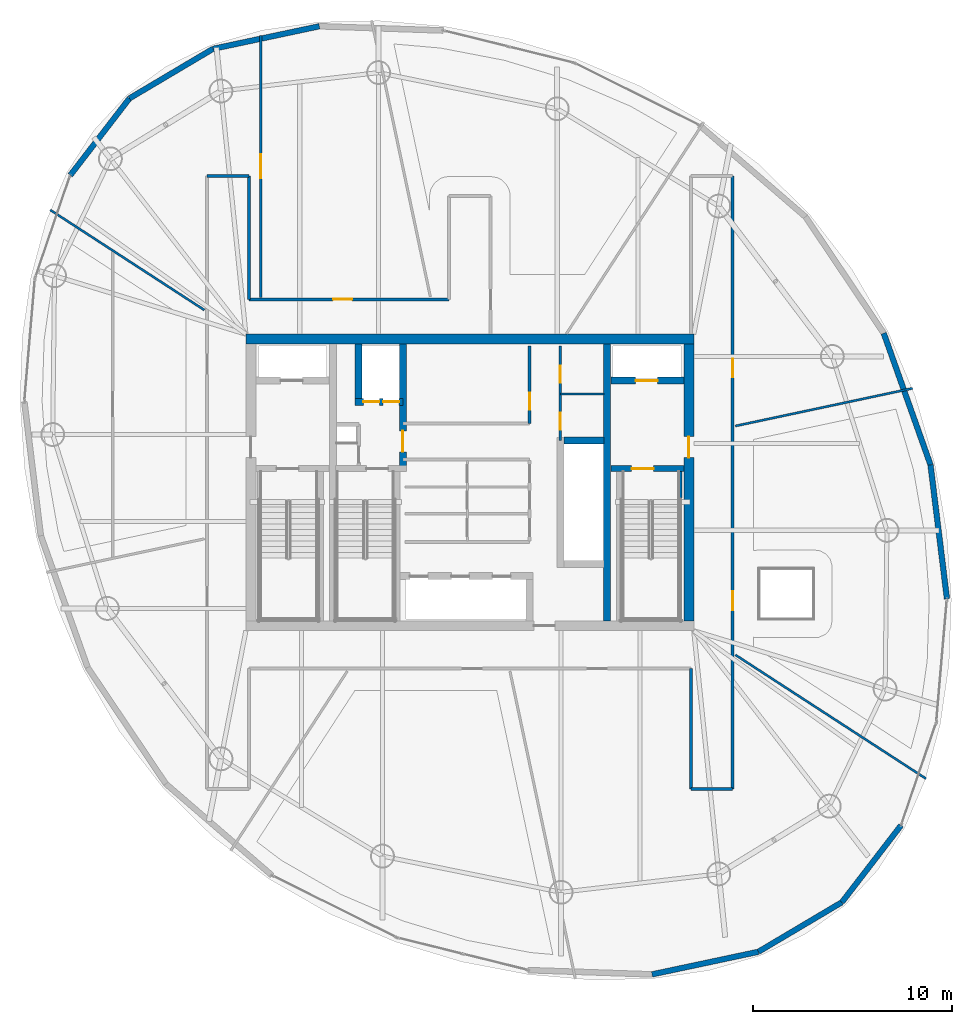
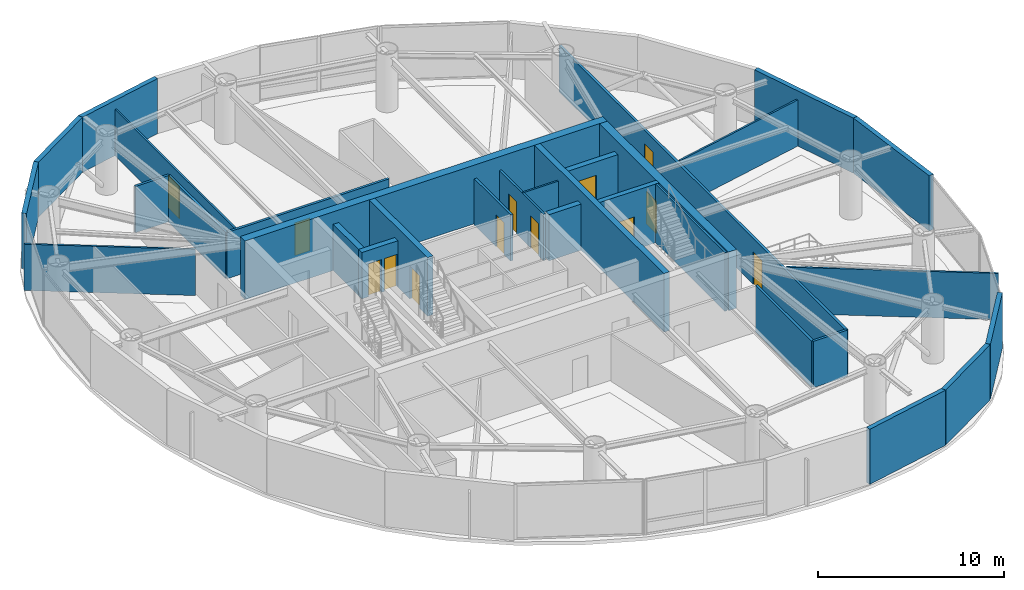
# One storey, part 17 of 22: 31 walls, 13 doors, 13 openings.
"""IFC4 building model written with IfcOpenShell, lengths in metres."""

from ifc_helpers import new_model, si_unit, direction, frame, frame_2d, origin, place, context, subcontext, project, spatial, rectangle, extrude, material, layer, layer_set, type_object, element, fill, save


model = new_model("IFC4")

# Units and contexts
model_context = context("Model", 3, precision=1e-05, world=origin(), true_north=direction((0.0, 1.0)))
body_context = subcontext(model_context, "Body", "Model", "MODEL_VIEW")
ifc_project = project(units=[si_unit("LENGTHUNIT", "METRE"), si_unit("AREAUNIT", "SQUARE_METRE"), si_unit("VOLUMEUNIT", "CUBIC_METRE"), si_unit("PLANEANGLEUNIT", "RADIAN"), si_unit("MASSUNIT", "GRAM", prefix="KILO")], contexts=[model_context])

# Site, building, storey
site_placement = place(None, origin())
site = spatial("IfcSite", under=ifc_project, at=site_placement, CompositionType="ELEMENT")
building_placement = place(site_placement, origin())
building = spatial("IfcBuilding", under=site, at=building_placement, Name="Bramvorn Convention Spire", CompositionType="ELEMENT")
storey_placement = place(building_placement, frame((0.0, 0.0, 225.10009765625)))
storey = spatial("IfcBuildingStorey", under=building, at=storey_placement, Name="L57", CompositionType="ELEMENT", Elevation=225.10009765625)

# Wall
ifc_material_1 = material(Name="Concrete C50/60", Category="concrete")
ifc_layer_1 = layer(ifc_material_1, 0.5)
ifc_layer_set_1 = layer_set([ifc_layer_1], Name="Concrete C50/60 - WL-CORE-500")
wall_type_1 = type_object("IfcWallType", Name="WL-CORE-500", PredefinedType="SHEAR", material=ifc_layer_set_1)
wall_1_placement = place(storey_placement, frame((26.75, 33.199951171875, 0.0), z_axis=(0.0, 0.0, 1.0), x_axis=(1.0, 0.0, 0.0)))
element("IfcWall", 1, at=wall_1_placement, inside=storey, type_object=wall_type_1, Name="L57 North RC core shear wall", PredefinedType="SHEAR", context=body_context, shape_type="SweptSolid", body=[
    extrude(rectangle(XDim=22.5, YDim=0.5, at=frame_2d((11.25, 0.0))), origin(), (0.0, 0.0, 1.0), 3.849853515625),
])

# Wall, opening, door
wall_2_placement = place(storey_placement, frame((49.0, 19.050048828125, 0.0), z_axis=(0.0, 0.0, 1.0), x_axis=(0.0, 1.0, 0.0)))
wall_2 = element("IfcWall", 2, at=wall_2_placement, inside=storey, type_object=wall_type_1, Name="L57 East RC core shear wall", PredefinedType="SHEAR", context=body_context, shape_type="SweptSolid", body=[
    extrude(rectangle(XDim=13.89990234375, YDim=0.5, at=frame_2d((6.949951171875, 0.0))), origin(), (0.0, 0.0, 1.0), 3.849853515625),
])
opening_1_placement = place(wall_2_placement, frame((8.199951171875, 0.0, 0.0)))
opening_1 = element("IfcOpeningElement", 3, at=opening_1_placement, cuts=wall_2, Name="Opening DL-105", PredefinedType="OPENING", context=body_context, shape_type="SweptSolid", body=[
    extrude(rectangle(XDim=1.050048828125, YDim=2.14990234375, at=frame_2d((0.52490234375, 1.074951171875))), frame((0.0, 0.260009765625, 0.0), z_axis=(0.0, -1.0, 0.0), x_axis=(1.0, 0.0, 0.0)), (0.0, 0.0, 1.0), 0.52001953125),
])
ifc_material_2 = material(Name="Smoke-Sealed Fire Lobby Timber-Core Door", Category="wood")
door_type_1 = type_object("IfcDoorType", Name="DR-LOBBY-1050", OperationType="NOTDEFINED", PredefinedType="DOOR", material=ifc_material_2)
door_1_placement = place(opening_1_placement, origin())
door_1 = element("IfcDoor", 4, at=door_1_placement, inside=storey, type_object=door_type_1, Name="L57 East Firefighting Lobby corridor door", OperationType="SINGLE_SWING_LEFT", OverallHeight=2.14990234375, OverallWidth=1.050048828125, PredefinedType="DOOR", context=body_context, shape_type="SweptSolid", body=[
    extrude(rectangle(XDim=1.050048828125, YDim=2.14990234375, at=frame_2d((0.52490234375, 1.074951171875))), frame((0.0, 0.02490234375, 0.0), z_axis=(0.0, -1.0, 0.0), x_axis=(1.0, 0.0, 0.0)), (0.0, 0.0, 1.0), 0.050048828125),
])
fill(opening_1, door_1)

# Wall
ifc_layer_2 = layer(ifc_material_1, 0.35009765625)
ifc_layer_set_2 = layer_set([ifc_layer_2], Name="Concrete C50/60 - WL-CORE-INT-350")
wall_type_2 = type_object("IfcWallType", Name="WL-CORE-INT-350", PredefinedType="SHEAR", material=ifc_layer_set_2)
wall_3_placement = place(storey_placement, frame((44.89990234375, 19.050048828125, 0.0), z_axis=(0.0, 0.0, 1.0), x_axis=(0.0, 1.0, 0.0)))
element("IfcWall", 5, at=wall_3_placement, inside=storey, type_object=wall_type_2, Name="L57 East internal core shear web", PredefinedType="SHEAR", context=body_context, shape_type="SweptSolid", body=[
    extrude(rectangle(XDim=13.89990234375, YDim=0.35009765625, at=frame_2d((6.949951171875, 0.0))), origin(), (0.0, 0.0, 1.0), 3.849853515625),
])

# Wall, opening, door
wall_4_placement = place(storey_placement, frame((45.080078125, 31.1201171875, 0.0), z_axis=(0.0, 0.0, 1.0), x_axis=(1.0, 0.0, 0.0)))
wall_4 = element("IfcWall", 6, at=wall_4_placement, inside=storey, type_object=wall_type_2, Name="L57 FE2 shaft front wall", PredefinedType="SHEAR", context=body_context, shape_type="SweptSolid", body=[
    extrude(rectangle(XDim=3.669921875, YDim=0.35009765625, at=frame_2d((1.8349609375, 0.0))), origin(), (0.0, 0.0, 1.0), 3.034912109375),
])
opening_2_placement = place(wall_4_placement, frame((1.25, 0.0, 0.0)))
opening_2 = element("IfcOpeningElement", 7, at=opening_2_placement, cuts=wall_4, Name="Opening LD-110", PredefinedType="OPENING", context=body_context, shape_type="SweptSolid", body=[
    extrude(rectangle(XDim=1.10009765625, YDim=2.14990234375, at=frame_2d((0.550048828125, 1.074951171875))), frame((0.0, 0.18505859375, 0.0), z_axis=(0.0, -1.0, 0.0), x_axis=(1.0, 0.0, 0.0)), (0.0, 0.0, 1.0), 0.3701171875),
])
ifc_material_3 = material(Name="Firefighting & Service Lift Sliding Landing Door", Category="steel")
door_type_2 = type_object("IfcDoorType", Name="DR-LIFT-LD-1100", OperationType="NOTDEFINED", PredefinedType="DOOR", material=ifc_material_3)
door_2_placement = place(opening_2_placement, origin())
door_2 = element("IfcDoor", 8, at=door_2_placement, inside=storey, type_object=door_type_2, Name="L57 Lift FE2 Sliding Landing Door", OperationType="SLIDING_TO_LEFT", OverallHeight=2.14990234375, OverallWidth=1.10009765625, PredefinedType="DOOR", context=body_context, shape_type="SweptSolid", body=[
    extrude(rectangle(XDim=1.10009765625, YDim=2.14990234375, at=frame_2d((0.550048828125, 1.074951171875))), frame((0.0, 0.02490234375, 0.0), z_axis=(0.0, -1.0, 0.0), x_axis=(1.0, 0.0, 0.0)), (0.0, 0.0, 1.0), 0.050048828125),
])
fill(opening_2, door_2)

wall_5_placement = place(storey_placement, frame((34.639892578125, 26.68994140625, 0.0), z_axis=(0.0, 0.0, 1.0), x_axis=(0.0, 1.0, 0.0)))
wall_5 = element("IfcWall", 9, at=wall_5_placement, inside=storey, type_object=wall_type_2, Name="L57 SV east core shaft wall", PredefinedType="SHEAR", context=body_context, shape_type="SweptSolid", body=[
    extrude(rectangle(XDim=6.260009765625, YDim=0.35009765625, at=frame_2d((3.1298828125, 0.0))), origin(), (0.0, 0.0, 1.0), 3.849853515625),
])
opening_3_placement = place(wall_5_placement, frame((0.85009765625, 0.0, 0.0)))
opening_3 = element("IfcOpeningElement", 10, at=opening_3_placement, cuts=wall_5, Name="Opening DL-105", PredefinedType="OPENING", context=body_context, shape_type="SweptSolid", body=[
    extrude(rectangle(XDim=1.050048828125, YDim=2.14990234375, at=frame_2d((0.52490234375, 1.074951171875))), frame((0.0, 0.18505859375, 0.0), z_axis=(0.0, -1.0, 0.0), x_axis=(1.0, 0.0, 0.0)), (0.0, 0.0, 1.0), 0.3701171875),
])
door_3_placement = place(opening_3_placement, origin())
door_3 = element("IfcDoor", 11, at=door_3_placement, inside=storey, type_object=door_type_1, Name="L57 Core cross-passage door", OperationType="SINGLE_SWING_RIGHT", OverallHeight=2.14990234375, OverallWidth=1.050048828125, PredefinedType="DOOR", context=body_context, shape_type="SweptSolid", body=[
    extrude(rectangle(XDim=1.050048828125, YDim=2.14990234375, at=frame_2d((0.52490234375, 1.074951171875))), frame((0.0, 0.02490234375, 0.0), z_axis=(0.0, -1.0, 0.0), x_axis=(1.0, 0.0, 0.0)), (0.0, 0.0, 1.0), 0.050048828125),
])
fill(opening_3, door_3)

# Wall, openings, doors
wall_6_placement = place(storey_placement, frame((32.22998046875, 30.050048828125, 0.0), z_axis=(0.0, 0.0, 1.0), x_axis=(1.0, 0.0, 0.0)))
wall_6 = element("IfcWall", 12, at=wall_6_placement, inside=storey, type_object=wall_type_2, Name="L57 SV1/SV2 shaft front wall", PredefinedType="SHEAR", context=body_context, shape_type="SweptSolid", body=[
    extrude(rectangle(XDim=2.409912109375, YDim=0.35009765625, at=frame_2d((1.205078125, 0.0))), origin(), (0.0, 0.0, 1.0), 3.034912109375),
])
opening_4_placement = place(wall_6_placement, frame((0.419921875, 0.0, 0.0)))
opening_4 = element("IfcOpeningElement", 13, at=opening_4_placement, cuts=wall_6, Name="Opening LD-080", PredefinedType="OPENING", context=body_context, shape_type="SweptSolid", body=[
    extrude(rectangle(XDim=0.800048828125, YDim=2.14990234375, at=frame_2d((0.39990234375, 1.074951171875))), frame((0.0, 0.18505859375, 0.0), z_axis=(0.0, -1.0, 0.0), x_axis=(1.0, 0.0, 0.0)), (0.0, 0.0, 1.0), 0.3701171875),
])
opening_5_placement = place(wall_6_placement, frame((1.419921875, 0.0, 0.0)))
opening_5 = element("IfcOpeningElement", 14, at=opening_5_placement, cuts=wall_6, Name="Opening LD-080", PredefinedType="OPENING", context=body_context, shape_type="SweptSolid", body=[
    extrude(rectangle(XDim=0.800048828125, YDim=2.14990234375, at=frame_2d((0.39990234375, 1.074951171875))), frame((0.0, 0.18505859375, 0.0), z_axis=(0.0, -1.0, 0.0), x_axis=(1.0, 0.0, 0.0)), (0.0, 0.0, 1.0), 0.3701171875),
])
ifc_material_4 = material(Name="Service Lift Bi-Parting Landing Door", Category="steel")
door_type_3 = type_object("IfcDoorType", Name="DR-LIFT-LD-800", OperationType="NOTDEFINED", PredefinedType="DOOR", material=ifc_material_4)
door_4_placement = place(opening_4_placement, origin())
door_4 = element("IfcDoor", 15, at=door_4_placement, inside=storey, type_object=door_type_3, Name="L57 Lift SV1 Sliding Landing Door", OperationType="SLIDING_TO_LEFT", OverallHeight=2.14990234375, OverallWidth=0.800048828125, PredefinedType="DOOR", context=body_context, shape_type="SweptSolid", body=[
    extrude(rectangle(XDim=0.800048828125, YDim=2.14990234375, at=frame_2d((0.39990234375, 1.074951171875))), frame((0.0, 0.02490234375, 0.0), z_axis=(0.0, -1.0, 0.0), x_axis=(1.0, 0.0, 0.0)), (0.0, 0.0, 1.0), 0.050048828125),
])
fill(opening_4, door_4)
door_5_placement = place(opening_5_placement, origin())
door_5 = element("IfcDoor", 16, at=door_5_placement, inside=storey, type_object=door_type_3, Name="L57 Lift SV2 Sliding Landing Door", OperationType="SLIDING_TO_LEFT", OverallHeight=2.14990234375, OverallWidth=0.800048828125, PredefinedType="DOOR", context=body_context, shape_type="SweptSolid", body=[
    extrude(rectangle(XDim=0.800048828125, YDim=2.14990234375, at=frame_2d((0.39990234375, 1.074951171875))), frame((0.0, 0.02490234375, 0.0), z_axis=(0.0, -1.0, 0.0), x_axis=(1.0, 0.0, 0.0)), (0.0, 0.0, 1.0), 0.050048828125),
])
fill(opening_5, door_5)

# Walls
wall_7_placement = place(storey_placement, frame((32.39990234375, 30.219970703125, 0.0), z_axis=(0.0, 0.0, 1.0), x_axis=(0.0, 1.0, 0.0)))
element("IfcWall", 17, at=wall_7_placement, inside=storey, type_object=wall_type_2, Name="L57 SV1 west hoistway wall", PredefinedType="SHEAR", context=body_context, shape_type="SweptSolid", body=[
    extrude(rectangle(XDim=2.72998046875, YDim=0.35009765625, at=frame_2d((1.364990234375, 0.0))), origin(), (0.0, 0.0, 1.0), 3.034912109375),
])
wall_8_placement = place(storey_placement, frame((42.719970703125, 28.10009765625, 0.0), z_axis=(0.0, 0.0, 1.0), x_axis=(1.0, 0.0, 0.0)))
element("IfcWall", 18, at=wall_8_placement, inside=storey, type_object=wall_type_2, Name="L57 High-rise lift bank north wall", PredefinedType="SHEAR", context=body_context, shape_type="SweptSolid", body=[
    extrude(rectangle(XDim=2.030029296875, YDim=0.35009765625, at=frame_2d((1.01513671875, 0.0))), origin(), (0.0, 0.0, 1.0), 3.034912109375),
])
ifc_material_5 = material(Name="Precast Concrete C40/50 with Bronze Terracotta Rainscreen", Category="masonry")
ifc_layer_3 = layer(ifc_material_5, 0.300048828125)
ifc_layer_set_3 = layer_set([ifc_layer_3], Name="Precast Concrete C40/50 with Bronze Terracotta Rainscreen - WL-EXT-BRONZE-300")
wall_type_3 = type_object("IfcWallType", Name="WL-EXT-BRONZE-300", PredefinedType="SOLIDWALL", material=ifc_layer_set_3)
wall_9_placement = place(storey_placement, frame((59.6650390625, 8.77490234375, 0.0), z_axis=(0.0, 0.0, 1.0), x_axis=(-0.609918825889, -0.792463895598, 0.0)))
element("IfcWall", 19, at=wall_9_placement, inside=storey, type_object=wall_type_3, Name="L57 expressed bronze Gothic lancet pier wall 01", PredefinedType="SOLIDWALL", context=body_context, shape_type="SweptSolid", body=[
    extrude(rectangle(XDim=4.876220703125, YDim=0.280029296875, at=frame_2d((2.43798828125, 0.0))), origin(), (0.0, 0.0, 1.0), 3.619873046875),
])
wall_10_placement = place(storey_placement, frame((61.143310546875, 26.88232421875, 0.0), z_axis=(0.0, 0.0, 1.0), x_axis=(0.121811070165, -0.992553304959, 0.0)))
element("IfcWall", 20, at=wall_10_placement, inside=storey, type_object=wall_type_3, Name="L57 expressed bronze Gothic lancet pier wall 04", PredefinedType="SOLIDWALL", context=body_context, shape_type="SweptSolid", body=[
    extrude(rectangle(XDim=6.784423828125, YDim=0.280029296875, at=frame_2d((3.39208984375, 0.0))), origin(), (0.0, 0.0, 1.0), 3.619873046875),
])
wall_11_placement = place(storey_placement, frame((58.7939453125, 33.4951171875, 0.0), z_axis=(0.0, 0.0, 1.0), x_axis=(0.334775620093, -0.942297874449, 0.0)))
element("IfcWall", 21, at=wall_11_placement, inside=storey, type_object=wall_type_3, Name="L57 expressed bronze Gothic lancet pier wall 05", PredefinedType="SOLIDWALL", context=body_context, shape_type="SweptSolid", body=[
    extrude(rectangle(XDim=7.017822265625, YDim=0.280029296875, at=frame_2d((3.5087890625, 0.0))), origin(), (0.0, 0.0, 1.0), 3.619873046875),
])
wall_12_placement = place(storey_placement, frame((25.094482421875, 47.781494140625, 0.0), z_axis=(0.0, 0.0, 1.0), x_axis=(0.978163165476, 0.207838450982, 0.0)))
element("IfcWall", 22, at=wall_12_placement, inside=storey, type_object=wall_type_3, Name="L57 expressed bronze Gothic lancet pier wall 11", PredefinedType="SOLIDWALL", context=body_context, shape_type="SweptSolid", body=[
    extrude(rectangle(XDim=5.464599609375, YDim=0.280029296875, at=frame_2d((2.732421875, 0.0))), origin(), (0.0, 0.0, 1.0), 3.619873046875),
])
for number, where, z_axis, x_axis, name in (
    (23, (20.90087890625, 45.293212890625, 0.0), (0.0, 0.0, 1.0), (0.860005125164, 0.510285395335, 0.0), "L57 expressed bronze Gothic lancet pier wall 12"),
    (24, (17.9267578125, 41.428955078125, 0.0), (0.0, 0.0, 1.0), (0.609918825889, 0.792463895598, 0.0), "L57 expressed bronze Gothic lancet pier wall 13"),
):
    element("IfcWall", number, at=place(storey_placement, frame(where, z_axis=z_axis, x_axis=x_axis)), inside=storey, type_object=wall_type_3, Name=name, PredefinedType="SOLIDWALL", context=body_context, shape_type="SweptSolid", body=[
        extrude(rectangle(XDim=4.876220703125, YDim=0.280029296875, at=frame_2d((2.43798828125, 0.0))), origin(), (0.0, 0.0, 1.0), 3.619873046875),
    ])
wall_13_placement = place(storey_placement, frame((52.497314453125, 2.42236328125, 0.0), z_axis=(0.0, 0.0, 1.0), x_axis=(-0.978163165476, -0.207838450982, 0.0)))
element("IfcWall", 25, at=wall_13_placement, inside=storey, type_object=wall_type_3, Name="L57 expressed bronze Gothic lancet pier wall 23", PredefinedType="SOLIDWALL", context=body_context, shape_type="SweptSolid", body=[
    extrude(rectangle(XDim=5.464599609375, YDim=0.280029296875, at=frame_2d((2.732421875, 0.0))), origin(), (0.0, 0.0, 1.0), 3.619873046875),
])
wall_14_placement = place(storey_placement, frame((56.69091796875, 4.91064453125, 0.0), z_axis=(0.0, 0.0, 1.0), x_axis=(-0.860005125164, -0.510285395335, 0.0)))
element("IfcWall", 26, at=wall_14_placement, inside=storey, type_object=wall_type_3, Name="L57 expressed bronze Gothic lancet pier wall 24", PredefinedType="SOLIDWALL", context=body_context, shape_type="SweptSolid", body=[
    extrude(rectangle(XDim=4.876220703125, YDim=0.280029296875, at=frame_2d((2.43798828125, 0.0))), origin(), (0.0, 0.0, 1.0), 3.619873046875),
])
ifc_material_6 = material(Name="Lightweight En-Suite & Wet-Wall Partition", Category="gypsum")
ifc_layer_4 = layer(ifc_material_6, 0.110107421875)
ifc_layer_set_4 = layer_set([ifc_layer_4], Name="Lightweight En-Suite & Wet-Wall Partition - WL-PART-110")
wall_type_4 = type_object("IfcWallType", Name="WL-PART-110", PredefinedType="PARTITIONING", material=ifc_layer_set_4)
wall_15_placement = place(storey_placement, frame((42.550048828125, 30.449951171875, 0.0), z_axis=(0.0, 0.0, 1.0), x_axis=(1.0, 0.0, 0.0)))
element("IfcWall", 27, at=wall_15_placement, inside=storey, type_object=wall_type_4, Name="L57 KB NE divider", PredefinedType="PARTITIONING", context=body_context, shape_type="SweptSolid", body=[
    extrude(rectangle(XDim=2.199951171875, YDim=0.110107421875, at=frame_2d((1.10009765625, 0.0))), origin(), (0.0, 0.0, 1.0), 3.034912109375),
])
wall_16_placement = place(storey_placement, frame((51.340087890625, 28.83544921875, 0.0), z_axis=(0.0, 0.0, 1.0), x_axis=(0.978143995196, 0.207928652819, 0.0)))
element("IfcWall", 28, at=wall_16_placement, inside=storey, type_object=wall_type_4, Name="L57 Tenant suite partition 1", PredefinedType="PARTITIONING", context=body_context, shape_type="SweptSolid", body=[
    extrude(rectangle(XDim=9.106689453125, YDim=0.110107421875, at=frame_2d((4.55322265625, 0.0))), origin(), (0.0, 0.0, 1.0), 3.034912109375),
])
wall_17_placement = place(storey_placement, frame((24.659912109375, 34.6630859375, 0.0), z_axis=(0.0, 0.0, 1.0), x_axis=(-0.838659901048, 0.544655460244, 0.0)))
element("IfcWall", 29, at=wall_17_placement, inside=storey, type_object=wall_type_4, Name="L57 Tenant suite partition 4", PredefinedType="PARTITIONING", context=body_context, shape_type="SweptSolid", body=[
    extrude(rectangle(XDim=9.22998046875, YDim=0.110107421875, at=frame_2d((4.614990234375, 0.0))), origin(), (0.0, 0.0, 1.0), 3.034912109375),
])
wall_18_placement = place(storey_placement, frame((51.340087890625, 17.3369140625, 0.0), z_axis=(0.0, 0.0, 1.0), x_axis=(0.838670967245, -0.544638420148, 0.0)))
element("IfcWall", 30, at=wall_18_placement, inside=storey, type_object=wall_type_4, Name="L57 Tenant suite partition 8", PredefinedType="PARTITIONING", context=body_context, shape_type="SweptSolid", body=[
    extrude(rectangle(XDim=11.429443359375, YDim=0.110107421875, at=frame_2d((5.71484375, 0.0))), origin(), (0.0, 0.0, 1.0), 3.034912109375),
])

# Wall, opening, door
wall_19_placement = place(storey_placement, frame((27.5, 35.300048828125, 0.0), z_axis=(0.0, 0.0, 1.0), x_axis=(0.0, 1.0, 0.0)))
wall_19 = element("IfcWall", 31, at=wall_19_placement, inside=storey, type_object=wall_type_4, Name="L57 Partner Office Chamber 3 inner suite partition", PredefinedType="PARTITIONING", context=body_context, shape_type="SweptSolid", body=[
    extrude(rectangle(XDim=13.157470703125, YDim=0.110107421875, at=frame_2d((6.57861328125, 0.0))), origin(), (0.0, 0.0, 1.0), 3.034912109375),
])
opening_6_placement = place(wall_19_placement, frame((5.978759765625, 0.0, 0.0)))
opening_6 = element("IfcOpeningElement", 32, at=opening_6_placement, cuts=wall_19, Name="Opening DSL-12", PredefinedType="OPENING", context=body_context, shape_type="SweptSolid", body=[
    extrude(rectangle(XDim=1.199951171875, YDim=2.14990234375, at=frame_2d((0.60009765625, 1.074951171875))), frame((0.0, 0.06494140625, 0.0), z_axis=(0.0, -1.0, 0.0), x_axis=(1.0, 0.0, 0.0)), (0.0, 0.0, 1.0), 0.130126953125),
])
ifc_material_7 = material(Name="Pocket Sliding Bronze-Framed Glass Suite Door", Category="glass")
door_type_4 = type_object("IfcDoorType", Name="DR-SLIDE-1200", OperationType="NOTDEFINED", PredefinedType="DOOR", material=ifc_material_7)
door_6_placement = place(opening_6_placement, origin())
door_6 = element("IfcDoor", 33, at=door_6_placement, inside=storey, type_object=door_type_4, Name="L57 Inner Suite 3 door", OperationType="SLIDING_TO_RIGHT", OverallHeight=2.14990234375, OverallWidth=1.199951171875, PredefinedType="DOOR", context=body_context, shape_type="SweptSolid", body=[
    extrude(rectangle(XDim=1.199951171875, YDim=2.14990234375, at=frame_2d((0.60009765625, 1.074951171875))), frame((0.0, 0.02490234375, 0.0), z_axis=(0.0, -1.0, 0.0), x_axis=(1.0, 0.0, 0.0)), (0.0, 0.0, 1.0), 0.050048828125),
])
fill(opening_6, door_6)

# Wall, openings, doors
ifc_material_8 = material(Name="Metal-Stud Demountable Office Partition", Category="gypsum")
ifc_layer_5 = layer(ifc_material_8, 0.1298828125)
ifc_layer_set_5 = layer_set([ifc_layer_5], Name="Metal-Stud Demountable Office Partition - WL-PART-130")
wall_type_5 = type_object("IfcWallType", Name="WL-PART-130", PredefinedType="PARTITIONING", material=ifc_layer_set_5)
wall_20_placement = place(storey_placement, frame((42.550048828125, 28.10009765625, 0.0), z_axis=(0.0, 0.0, 1.0), x_axis=(0.0, 1.0, 0.0)))
wall_20 = element("IfcWall", 34, at=wall_20_placement, inside=storey, type_object=wall_type_5, Name="L57 KB NE split wall", PredefinedType="PARTITIONING", context=body_context, shape_type="SweptSolid", body=[
    extrude(rectangle(XDim=4.75, YDim=0.1298828125, at=frame_2d((2.375, 0.0))), origin(), (0.0, 0.0, 1.0), 3.034912109375),
])
opening_7_placement = place(wall_20_placement, frame((0.550048828125, 0.0, 0.0)))
opening_7 = element("IfcOpeningElement", 35, at=opening_7_placement, cuts=wall_20, Name="Opening DC-085", PredefinedType="OPENING", context=body_context, shape_type="SweptSolid", body=[
    extrude(rectangle(XDim=0.85009765625, YDim=2.10009765625, at=frame_2d((0.425048828125, 1.050048828125))), frame((0.0, 0.074951171875, 0.0), z_axis=(0.0, -1.0, 0.0), x_axis=(1.0, 0.0, 0.0)), (0.0, 0.0, 1.0), 0.14990234375),
])
opening_8_placement = place(wall_20_placement, frame((2.89990234375, 0.0, 0.0)))
opening_8 = element("IfcOpeningElement", 36, at=opening_8_placement, cuts=wall_20, Name="Opening DC-085", PredefinedType="OPENING", context=body_context, shape_type="SweptSolid", body=[
    extrude(rectangle(XDim=0.85009765625, YDim=2.10009765625, at=frame_2d((0.425048828125, 1.050048828125))), frame((0.0, 0.074951171875, 0.0), z_axis=(0.0, -1.0, 0.0), x_axis=(1.0, 0.0, 0.0)), (0.0, 0.0, 1.0), 0.14990234375),
])
ifc_material_9 = material(Name="Fire-Rated Core Washroom & IDF Door", Category="wood")
door_type_5 = type_object("IfcDoorType", Name="DR-CORE-850", OperationType="NOTDEFINED", PredefinedType="DOOR", material=ifc_material_9)
door_7_placement = place(opening_7_placement, origin())
door_7 = element("IfcDoor", 37, at=door_7_placement, inside=storey, type_object=door_type_5, Name="L57 Core Staff WC door", OperationType="SINGLE_SWING_LEFT", OverallHeight=2.10009765625, OverallWidth=0.85009765625, PredefinedType="DOOR", context=body_context, shape_type="SweptSolid", body=[
    extrude(rectangle(XDim=0.85009765625, YDim=2.10009765625, at=frame_2d((0.425048828125, 1.050048828125))), frame((0.0, 0.02490234375, 0.0), z_axis=(0.0, -1.0, 0.0), x_axis=(1.0, 0.0, 0.0)), (0.0, 0.0, 1.0), 0.050048828125),
])
fill(opening_7, door_7)
door_8_placement = place(opening_8_placement, origin())
door_8 = element("IfcDoor", 38, at=door_8_placement, inside=storey, type_object=door_type_5, Name="L57 Core Data Closet door", OperationType="SINGLE_SWING_LEFT", OverallHeight=2.10009765625, OverallWidth=0.85009765625, PredefinedType="DOOR", context=body_context, shape_type="SweptSolid", body=[
    extrude(rectangle(XDim=0.85009765625, YDim=2.10009765625, at=frame_2d((0.425048828125, 1.050048828125))), frame((0.0, 0.02490234375, 0.0), z_axis=(0.0, -1.0, 0.0), x_axis=(1.0, 0.0, 0.0)), (0.0, 0.0, 1.0), 0.050048828125),
])
fill(opening_8, door_8)

# Wall, opening, door
ifc_material_10 = material(Name="Acoustic Metal-Stud Tenant/Corridor Partition", Category="gypsum")
ifc_layer_6 = layer(ifc_material_10, 0.14990234375)
ifc_layer_set_6 = layer_set([ifc_layer_6], Name="Acoustic Metal-Stud Tenant/Corridor Partition - WL-PART-150")
wall_type_6 = type_object("IfcWallType", Name="WL-PART-150", PredefinedType="PARTITIONING", material=ifc_layer_set_6)
wall_21_placement = place(storey_placement, frame((41.0, 28.949951171875, 0.0), z_axis=(0.0, 0.0, 1.0), x_axis=(0.0, 1.0, 0.0)))
wall_21 = element("IfcWall", 39, at=wall_21_placement, inside=storey, type_object=wall_type_6, Name="L57 Freed north shaft room wall", PredefinedType="PARTITIONING", context=body_context, shape_type="SweptSolid", body=[
    extrude(rectangle(XDim=3.900146484375, YDim=0.14990234375, at=frame_2d((1.9501953125, 0.0))), origin(), (0.0, 0.0, 1.0), 3.034912109375),
])
opening_9_placement = place(wall_21_placement, frame((0.699951171875, 0.0, 0.0)))
opening_9 = element("IfcOpeningElement", 40, at=opening_9_placement, cuts=wall_21, Name="Opening DC-085", PredefinedType="OPENING", context=body_context, shape_type="SweptSolid", body=[
    extrude(rectangle(XDim=0.85009765625, YDim=2.10009765625, at=frame_2d((0.425048828125, 1.050048828125))), frame((0.0, 0.0849609375, 0.0), z_axis=(0.0, -1.0, 0.0), x_axis=(1.0, 0.0, 0.0)), (0.0, 0.0, 1.0), 0.169921875),
])
door_9_placement = place(opening_9_placement, origin())
door_9 = element("IfcDoor", 41, at=door_9_placement, inside=storey, type_object=door_type_5, Name="L57 North core archive door", OperationType="SINGLE_SWING_LEFT", OverallHeight=2.10009765625, OverallWidth=0.85009765625, PredefinedType="DOOR", context=body_context, shape_type="SweptSolid", body=[
    extrude(rectangle(XDim=0.85009765625, YDim=2.10009765625, at=frame_2d((0.425048828125, 1.050048828125))), frame((0.0, 0.02490234375, 0.0), z_axis=(0.0, -1.0, 0.0), x_axis=(1.0, 0.0, 0.0)), (0.0, 0.0, 1.0), 0.050048828125),
])
fill(opening_9, door_9)

wall_22_placement = place(storey_placement, frame((26.89990234375, 35.199951171875, 0.0), z_axis=(0.0, 0.0, 1.0), x_axis=(1.0, 0.0, 0.0)))
wall_22 = element("IfcWall", 42, at=wall_22_placement, inside=storey, type_object=wall_type_6, Name="L57 North-west spur link wall", PredefinedType="PARTITIONING", context=body_context, shape_type="SweptSolid", body=[
    extrude(rectangle(XDim=10.050048828125, YDim=0.14990234375, at=frame_2d((5.02490234375, 0.0))), origin(), (0.0, 0.0, 1.0), 3.034912109375),
])
opening_10_placement = place(wall_22_placement, frame((4.23291015625, 0.0, 0.0)))
opening_10 = element("IfcOpeningElement", 43, at=opening_10_placement, cuts=wall_22, Name="Opening DH-095", PredefinedType="OPENING", context=body_context, shape_type="SweptSolid", body=[
    extrude(rectangle(XDim=0.949951171875, YDim=2.14990234375, at=frame_2d((0.47509765625, 1.074951171875))), frame((0.0, 0.0849609375, 0.0), z_axis=(0.0, -1.0, 0.0), x_axis=(1.0, 0.0, 0.0)), (0.0, 0.0, 1.0), 0.169921875),
])
ifc_material_11 = material(Name="Solid-Core Acoustic Guestroom Entry Door", Category="wood")
door_type_6 = type_object("IfcDoorType", Name="DR-HOTEL-950", OperationType="NOTDEFINED", PredefinedType="DOOR", material=ifc_material_11)
door_10_placement = place(opening_10_placement, origin())
door_10 = element("IfcDoor", 44, at=door_10_placement, inside=storey, type_object=door_type_6, Name="L57 Partner Office Chamber 3 3 door", OperationType="SINGLE_SWING_LEFT", OverallHeight=2.14990234375, OverallWidth=0.949951171875, PredefinedType="DOOR", context=body_context, shape_type="SweptSolid", body=[
    extrude(rectangle(XDim=0.949951171875, YDim=2.14990234375, at=frame_2d((0.47509765625, 1.074951171875))), frame((0.0, 0.02490234375, 0.0), z_axis=(0.0, -1.0, 0.0), x_axis=(1.0, 0.0, 0.0)), (0.0, 0.0, 1.0), 0.050048828125),
])
fill(opening_10, door_10)

# Walls
wall_23_placement = place(storey_placement, frame((26.89990234375, 35.199951171875, 0.0), z_axis=(0.0, 0.0, 1.0), x_axis=(0.0, 1.0, 0.0)))
element("IfcWall", 45, at=wall_23_placement, inside=storey, type_object=wall_type_6, Name="L57 West gallery NE wall", PredefinedType="PARTITIONING", context=body_context, shape_type="SweptSolid", body=[
    extrude(rectangle(XDim=6.199951171875, YDim=0.14990234375, at=frame_2d((3.10009765625, 0.0))), origin(), (0.0, 0.0, 1.0), 3.034912109375),
])
wall_24_placement = place(storey_placement, frame((24.800048828125, 41.39990234375, 0.0), z_axis=(0.0, 0.0, 1.0), x_axis=(1.0, 0.0, 0.0)))
element("IfcWall", 46, at=wall_24_placement, inside=storey, type_object=wall_type_6, Name="L57 West gallery north end", PredefinedType="PARTITIONING", context=body_context, shape_type="SweptSolid", body=[
    extrude(rectangle(XDim=2.099853515625, YDim=0.14990234375, at=frame_2d((1.0498046875, 0.0))), origin(), (0.0, 0.0, 1.0), 3.034912109375),
])

# Wall, openings, doors
wall_25_placement = place(storey_placement, frame((51.199951171875, 10.60009765625, 0.0), z_axis=(0.0, 0.0, 1.0), x_axis=(0.0, 1.0, 0.0)))
wall_25 = element("IfcWall", 47, at=wall_25_placement, inside=storey, type_object=wall_type_6, Name="L57 East N-S gallery outer wall", PredefinedType="PARTITIONING", context=body_context, shape_type="SweptSolid", body=[
    extrude(rectangle(XDim=30.7998046875, YDim=0.14990234375, at=frame_2d((15.39990234375, 0.0))), origin(), (0.0, 0.0, 1.0), 3.034912109375),
])
opening_11_placement = place(wall_25_placement, frame((20.676025390625, 0.0, 0.0)))
opening_11 = element("IfcOpeningElement", 48, at=opening_11_placement, cuts=wall_25, Name="Opening DH-095", PredefinedType="OPENING", context=body_context, shape_type="SweptSolid", body=[
    extrude(rectangle(XDim=0.949951171875, YDim=2.14990234375, at=frame_2d((0.47509765625, 1.074951171875))), frame((0.0, 0.0849609375, 0.0), z_axis=(0.0, -1.0, 0.0), x_axis=(1.0, 0.0, 0.0)), (0.0, 0.0, 1.0), 0.169921875),
])
opening_12_placement = place(wall_25_placement, frame((8.99169921875, 0.0, 0.0)))
opening_12 = element("IfcOpeningElement", 49, at=opening_12_placement, cuts=wall_25, Name="Opening DH-095", PredefinedType="OPENING", context=body_context, shape_type="SweptSolid", body=[
    extrude(rectangle(XDim=0.949951171875, YDim=2.14990234375, at=frame_2d((0.47509765625, 1.074951171875))), frame((0.0, 0.0849609375, 0.0), z_axis=(0.0, -1.0, 0.0), x_axis=(1.0, 0.0, 0.0)), (0.0, 0.0, 1.0), 0.169921875),
])
door_11_placement = place(opening_11_placement, origin())
door_11 = element("IfcDoor", 50, at=door_11_placement, inside=storey, type_object=door_type_6, Name="L57 Partner Office Chamber 1 1 door", OperationType="SINGLE_SWING_RIGHT", OverallHeight=2.14990234375, OverallWidth=0.949951171875, PredefinedType="DOOR", context=body_context, shape_type="SweptSolid", body=[
    extrude(rectangle(XDim=0.949951171875, YDim=2.14990234375, at=frame_2d((0.47509765625, 1.074951171875))), frame((0.0, 0.02490234375, 0.0), z_axis=(0.0, -1.0, 0.0), x_axis=(1.0, 0.0, 0.0)), (0.0, 0.0, 1.0), 0.050048828125),
])
fill(opening_11, door_11)
door_12_placement = place(opening_12_placement, origin())
door_12 = element("IfcDoor", 51, at=door_12_placement, inside=storey, type_object=door_type_6, Name="L57 Deposition Meeting Room 2 8 door", OperationType="SINGLE_SWING_RIGHT", OverallHeight=2.14990234375, OverallWidth=0.949951171875, PredefinedType="DOOR", context=body_context, shape_type="SweptSolid", body=[
    extrude(rectangle(XDim=0.949951171875, YDim=2.14990234375, at=frame_2d((0.47509765625, 1.074951171875))), frame((0.0, 0.02490234375, 0.0), z_axis=(0.0, -1.0, 0.0), x_axis=(1.0, 0.0, 0.0)), (0.0, 0.0, 1.0), 0.050048828125),
])
fill(opening_12, door_12)

# Walls
wall_26_placement = place(storey_placement, frame((49.10009765625, 10.60009765625, 0.0), z_axis=(0.0, 0.0, 1.0), x_axis=(0.0, 1.0, 0.0)))
element("IfcWall", 52, at=wall_26_placement, inside=storey, type_object=wall_type_6, Name="L57 East gallery SW wall", PredefinedType="PARTITIONING", context=body_context, shape_type="SweptSolid", body=[
    extrude(rectangle(XDim=6.0498046875, YDim=0.14990234375, at=frame_2d((3.02490234375, 0.0))), origin(), (0.0, 0.0, 1.0), 3.034912109375),
])
wall_27_placement = place(storey_placement, frame((49.10009765625, 10.60009765625, 0.0), z_axis=(0.0, 0.0, 1.0), x_axis=(1.0, 0.0, 0.0)))
element("IfcWall", 53, at=wall_27_placement, inside=storey, type_object=wall_type_6, Name="L57 East gallery south end", PredefinedType="PARTITIONING", context=body_context, shape_type="SweptSolid", body=[
    extrude(rectangle(XDim=2.099853515625, YDim=0.14990234375, at=frame_2d((1.0498046875, 0.0))), origin(), (0.0, 0.0, 1.0), 3.034912109375),
])

# Wall, opening, door
ifc_layer_7 = layer(ifc_material_1, 0.300048828125)
ifc_layer_set_7 = layer_set([ifc_layer_7], Name="Concrete C50/60 - WL-POD-STAIR-300")
wall_type_7 = type_object("IfcWallType", Name="WL-POD-STAIR-300", PredefinedType="SHEAR", material=ifc_layer_set_7)
wall_28_placement = place(storey_placement, frame((45.080078125, 26.68994140625, 0.0), z_axis=(0.0, 0.0, 1.0), x_axis=(1.0, 0.0, 0.0)))
wall_28 = element("IfcWall", 54, at=wall_28_placement, inside=storey, type_object=wall_type_7, Name="L57 ST2 north fire wall", PredefinedType="SHEAR", context=body_context, shape_type="SweptSolid", body=[
    extrude(rectangle(XDim=3.669921875, YDim=0.300048828125, at=frame_2d((1.8349609375, 0.0))), origin(), (0.0, 0.0, 1.0), 3.849853515625),
])
opening_13_placement = place(wall_28_placement, frame((1.050048828125, 0.0, 0.0)))
opening_13 = element("IfcOpeningElement", 55, at=opening_13_placement, cuts=wall_28, Name="Opening DS-110", PredefinedType="OPENING", context=body_context, shape_type="SweptSolid", body=[
    extrude(rectangle(XDim=1.10009765625, YDim=2.14990234375, at=frame_2d((0.550048828125, 1.074951171875))), frame((0.0, 0.159912109375, 0.0), z_axis=(0.0, -1.0, 0.0), x_axis=(1.0, 0.0, 0.0)), (0.0, 0.0, 1.0), 0.320068359375),
])
ifc_material_12 = material(Name="Fire-Rated Hollow Steel Stairwell Door", Category="steel")
door_type_7 = type_object("IfcDoorType", Name="DR-STAIR-1100", OperationType="NOTDEFINED", PredefinedType="DOOR", material=ifc_material_12)
door_13_placement = place(opening_13_placement, origin())
door_13 = element("IfcDoor", 56, at=door_13_placement, inside=storey, type_object=door_type_7, Name="L57 Stair ST2 fire door", OperationType="SINGLE_SWING_RIGHT", OverallHeight=2.14990234375, OverallWidth=1.10009765625, PredefinedType="DOOR", context=body_context, shape_type="SweptSolid", body=[
    extrude(rectangle(XDim=1.10009765625, YDim=2.14990234375, at=frame_2d((0.550048828125, 1.074951171875))), frame((0.0, 0.02490234375, 0.0), z_axis=(0.0, -1.0, 0.0), x_axis=(1.0, 0.0, 0.0)), (0.0, 0.0, 1.0), 0.050048828125),
])
fill(opening_13, door_13)

# Wall
ifc_layer_8 = layer(ifc_material_1, 0.1201171875)
ifc_layer_set_8 = layer_set([ifc_layer_8], Name="Concrete C50/60 - WL-STAIR-RC-120")
wall_type_8 = type_object("IfcWallType", Name="WL-STAIR-RC-120", PredefinedType="SHEAR", material=ifc_layer_set_8)
wall_29_placement = place(storey_placement, frame((48.60498046875, 19.10009765625, 0.0), z_axis=(0.0, 0.0, 1.0), x_axis=(0.0, 1.0, 0.0)))
element("IfcWall", 57, at=wall_29_placement, inside=storey, type_object=wall_type_8, Name="L57 ST2 east bearing shear wall", PredefinedType="SHEAR", context=body_context, shape_type="SweptSolid", body=[
    extrude(rectangle(XDim=7.449951171875, YDim=0.1201171875, at=frame_2d((3.72509765625, 0.0))), origin(), (0.0, 0.0, 1.0), 3.849853515625),
])

save(model, "model.ifc")
